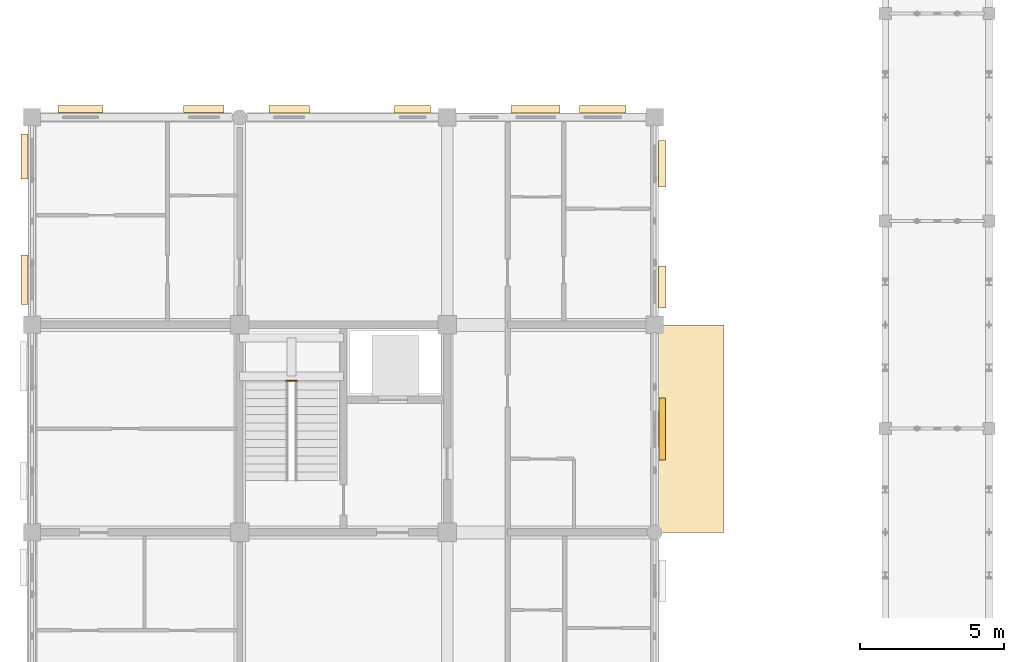
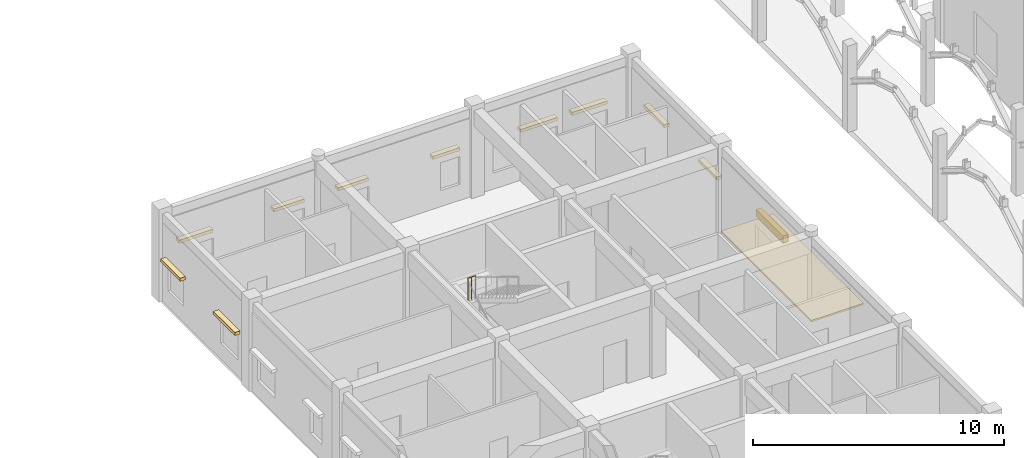
# One storey, part 131 of 138: 12 coverings, 1 railing.
"""IFC4 building model written with IfcOpenShell, lengths in metres."""

from ifc_helpers import new_model, si_unit, direction, frame, origin, origin_2d, place, context, subcontext, project, spatial, polyline, rectangle, circle, outline, extrude, material, layer, layer_set, type_object, element, save


model = new_model("IFC4")

# Units and contexts
model_context = context("Model", 3, precision=1e-05, world=origin(), true_north=direction((0.0, 1.0)))
body_context = subcontext(model_context, "Body", "Model", "MODEL_VIEW")
ifc_project = project(units=[si_unit("LENGTHUNIT", "METRE"), si_unit("AREAUNIT", "SQUARE_METRE"), si_unit("VOLUMEUNIT", "CUBIC_METRE"), si_unit("PLANEANGLEUNIT", "RADIAN"), si_unit("MASSUNIT", "GRAM", prefix="KILO"), si_unit("THERMODYNAMICTEMPERATUREUNIT", "KELVIN"), si_unit("POWERUNIT", "WATT")], contexts=[model_context])

# Site, building, storey
site_placement = place(None, origin())
site = spatial("IfcSite", under=ifc_project, at=site_placement, CompositionType="ELEMENT")
building_placement = place(site_placement, origin())
building = spatial("IfcBuilding", under=site, at=building_placement, Name="Tavuni Mirador Residences", CompositionType="ELEMENT")
storey_placement = place(building_placement, origin())
storey = spatial("IfcBuildingStorey", under=building, at=storey_placement, Name="L00", CompositionType="ELEMENT", Elevation=0.0)

# Coverings
ifc_material_1 = material(Name="Natural coral limestone", Category="masonry")
ifc_layer_1 = layer(ifc_material_1, 0.054931640625, Name="Natural coral limestone", Category="masonry")
ifc_layer_set_1 = layer_set([ifc_layer_1], Name="Natural coral limestone")
covering_type_1 = type_object("IfcCoveringType", Name="CVT-CLAD-CORAL", PredefinedType="CLADDING", material=ifc_layer_set_1)
covering_1_placement = place(storey_placement, frame((25.4619140625, 89.97998046875, 2.2001953125), z_axis=(0.0, 0.0, 1.0), x_axis=(0.0, 1.0, 0.0)))
element("IfcCovering", 1, at=covering_1_placement, inside=storey, type_object=covering_type_1, Name="CLAD-BLK-B-E03", PredefinedType="CLADDING", context=body_context, shape_type="SweptSolid", body=[
    extrude(rectangle(XDim=2.14990234375, YDim=0.239990234375, at=origin_2d()), origin(), (0.0, 0.0, 1.0), 0.340087890625),
])
covering_2_placement = place(storey_placement, frame((25.45947265625, 94.909912109375, 2.06494140625), z_axis=(0.0, 0.0, 1.0), x_axis=(0.0, 1.0, 0.0)))
element("IfcCovering", 2, at=covering_2_placement, inside=storey, type_object=covering_type_1, Name="HOOD-0324", PredefinedType="CLADDING", context=body_context, shape_type="SweptSolid", body=[
    extrude(rectangle(XDim=1.4599609375, YDim=0.25, at=origin_2d()), origin(), (0.0, 0.0, 1.0), 0.14990234375),
])
for number, where, z_axis, x_axis, name in (
    (3, (25.45947265625, 99.18994140625, 2.06494140625), (0.0, 0.0, 1.0), (0.0, 1.0, 0.0), "HOOD-0325"),
    (4, (23.39990234375, 101.074462890625, 2.06494140625), (0.0, 0.0, 1.0), (-1.0, 0.0, 0.0), "HOOD-0326"),
):
    element("IfcCovering", number, at=place(storey_placement, frame(where, z_axis=z_axis, x_axis=x_axis)), inside=storey, type_object=covering_type_1, Name=name, PredefinedType="CLADDING", context=body_context, shape_type="SweptSolid", body=[
        extrude(rectangle(XDim=1.6201171875, YDim=0.25, at=origin_2d()), origin(), (0.0, 0.0, 1.0), 0.14990234375),
    ])
covering_3_placement = place(storey_placement, frame((21.070068359375, 101.074462890625, 2.06494140625), z_axis=(0.0, 0.0, 1.0), x_axis=(-1.0, 0.0, 0.0)))
element("IfcCovering", 5, at=covering_3_placement, inside=storey, type_object=covering_type_1, Name="HOOD-0327", PredefinedType="CLADDING", context=body_context, shape_type="SweptSolid", body=[
    extrude(rectangle(XDim=1.699951171875, YDim=0.25, at=origin_2d()), origin(), (0.0, 0.0, 1.0), 0.14990234375),
])
covering_4_placement = place(storey_placement, frame((16.800048828125, 101.07958984375, 2.1650390625), z_axis=(0.0, 0.0, 1.0), x_axis=(-1.0, 0.0, 0.0)))
element("IfcCovering", 6, at=covering_4_placement, inside=storey, type_object=covering_type_1, Name="HOOD-0328", PredefinedType="CLADDING", context=body_context, shape_type="SweptSolid", body=[
    extrude(rectangle(XDim=1.239990234375, YDim=0.25, at=origin_2d()), origin(), (0.0, 0.0, 1.0), 0.14990234375),
])
for number, where, z_axis, x_axis, name in (
    (7, (12.52001953125, 101.07958984375, 2.1650390625), (0.0, 0.0, 1.0), (-1.0, 0.0, 0.0), "HOOD-0329"),
    (8, (9.56005859375, 101.0869140625, 2.1650390625), (0.0, 0.0, 1.0), (-1.0, 0.0, 0.0), "HOOD-0330"),
):
    element("IfcCovering", number, at=place(storey_placement, frame(where, z_axis=z_axis, x_axis=x_axis)), inside=storey, type_object=covering_type_1, Name=name, PredefinedType="CLADDING", context=body_context, shape_type="SweptSolid", body=[
        extrude(rectangle(XDim=1.39990234375, YDim=0.25, at=origin_2d()), origin(), (0.0, 0.0, 1.0), 0.14990234375),
    ])
for number, where, z_axis, x_axis, name in (
    (9, (5.280029296875, 101.0869140625, 2.1650390625), (0.0, 0.0, 1.0), (-1.0, 0.0, 0.0), "HOOD-0331"),
    (10, (3.340576171875, 99.43994140625, 2.1650390625), (0.0, 0.0, 1.0), (0.0, -1.0, 0.0), "HOOD-0332"),
):
    element("IfcCovering", number, at=place(storey_placement, frame(where, z_axis=z_axis, x_axis=x_axis)), inside=storey, type_object=covering_type_1, Name=name, PredefinedType="CLADDING", context=body_context, shape_type="SweptSolid", body=[
        extrude(rectangle(XDim=1.56005859375, YDim=0.25, at=origin_2d()), origin(), (0.0, 0.0, 1.0), 0.14990234375),
    ])
covering_5_placement = place(storey_placement, frame((3.340576171875, 95.159912109375, 2.1650390625), z_axis=(0.0, 0.0, 1.0), x_axis=(0.0, -1.0, 0.0)))
element("IfcCovering", 11, at=covering_5_placement, inside=storey, type_object=covering_type_1, Name="HOOD-0333", PredefinedType="CLADDING", context=body_context, shape_type="SweptSolid", body=[
    extrude(rectangle(XDim=1.719970703125, YDim=0.25, at=origin_2d()), origin(), (0.0, 0.0, 1.0), 0.14990234375),
])
ifc_material_2 = material(Name="Dressed coral-stone paving", Category="masonry")
ifc_layer_2 = layer(ifc_material_2, 0.080078125, Name="Dressed coral-stone paving", Category="masonry")
ifc_layer_set_2 = layer_set([ifc_layer_2], Name="Dressed coral-stone paving")
covering_type_2 = type_object("IfcCoveringType", Name="CVT-PAV-COURT", PredefinedType="USERDEFINED", material=ifc_layer_set_2)
covering_6_placement = place(storey_placement, frame((0.0, 0.0, -0.080078125)))
element("IfcCovering", 12, at=covering_6_placement, inside=storey, type_object=covering_type_2, Name="PAV-APR-BLKB-E2", ObjectType="PAVING", PredefinedType="USERDEFINED", context=body_context, shape_type="SweptSolid", body=[
    extrude(outline(polyline([(25.199951171875, 86.39990234375), (27.60009765625, 86.39990234375), (27.60009765625, 93.60009765625), (25.199951171875, 93.60009765625), (25.199951171875, 86.39990234375)])), origin(), (0.0, 0.0, 1.0), 0.080078125),
])

# Railing
ifc_material_3 = material(Name="Structural steel S355", Category="steel")
railing_type = type_object("IfcRailingType", Name="RT-GR1120", PredefinedType="GUARDRAIL", material=ifc_material_3)
railing_placement = place(storey_placement, frame((12.419921875, 91.659912109375, 2.25)))
element("IfcRailing", 13, at=railing_placement, inside=storey, type_object=railing_type, Name="GRD-HL-ST4-L00", PredefinedType="GUARDRAIL", context=body_context, shape_type="SweptSolid", body=[
    extrude(circle(Radius=0.02392578125, at=origin_2d()), frame((0.0, 0.0, 1.09619140625), z_axis=(1.0, 0.0, 0.0), x_axis=(0.0, 1.0, 0.0)), (0.0, 0.0, 1.0), 0.360107421875),
    extrude(circle(Radius=0.02099609375, at=origin_2d()), origin(), (0.0, 0.0, 1.0), 1.072021484375),
    extrude(circle(Radius=0.02099609375, at=origin_2d()), frame((0.18017578125, 0.0, 0.0)), (0.0, 0.0, 1.0), 1.072021484375),
    extrude(circle(Radius=0.02099609375, at=origin_2d()), frame((0.360107421875, 0.0, 0.0)), (0.0, 0.0, 1.0), 1.072021484375),
])

save(model, "model.ifc")
